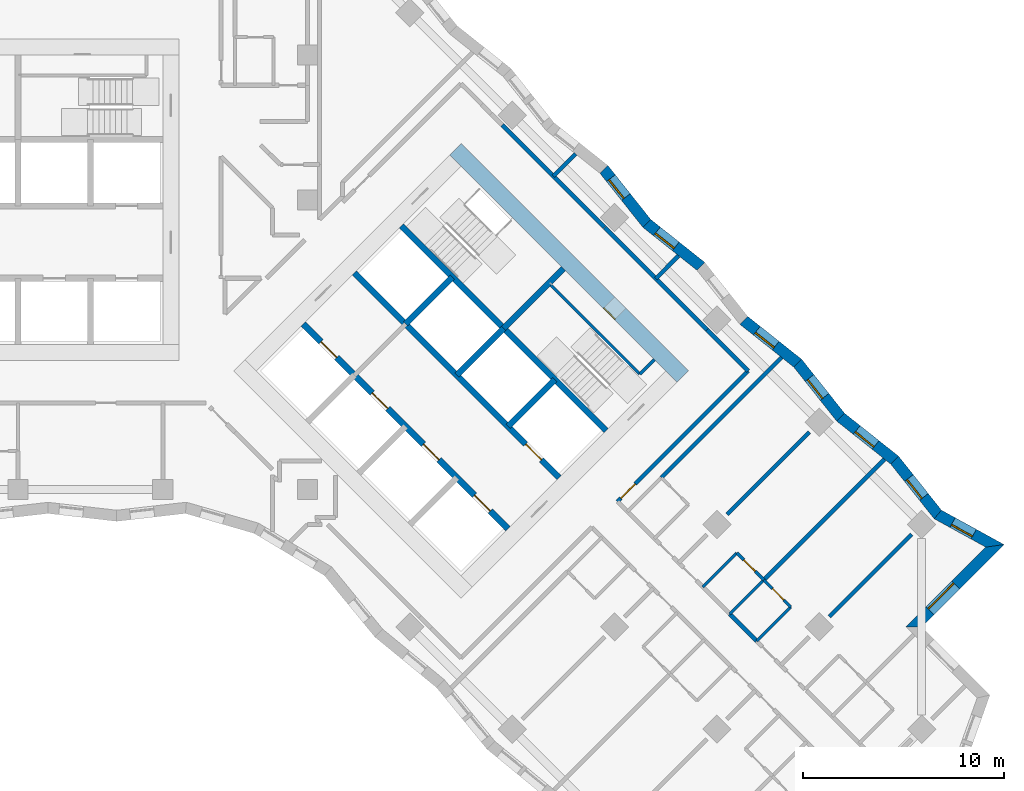
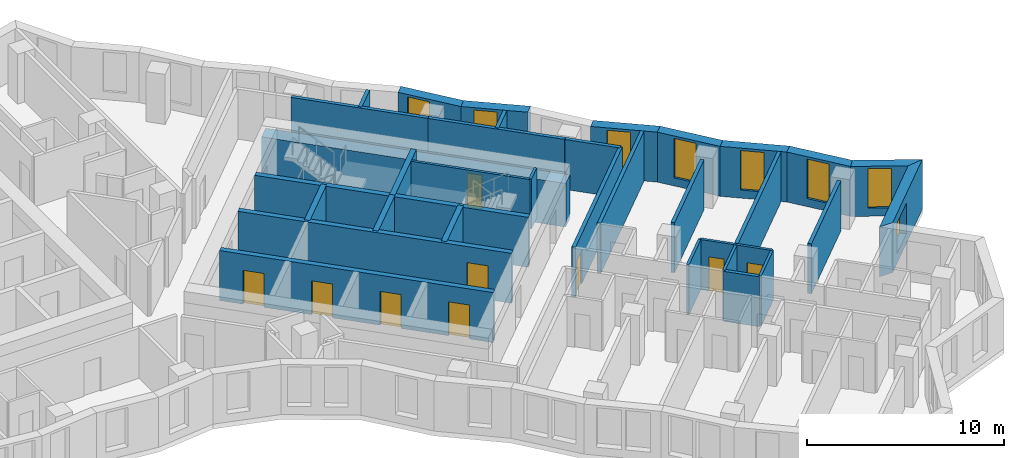
# One storey, part 10 of 13: 35 walls, 9 doors, 8 windows, 17 openings.
"""IFC4 building model written with IfcOpenShell, lengths in metres."""

from ifc_helpers import new_model, si_unit, direction, frame, frame_2d, origin, place, context, subcontext, project, spatial, polyline, rectangle, outline, extrude, material, layer, layer_set, type_object, element, fill, save


model = new_model("IFC4")

# Units and contexts
model_context = context("Model", 3, precision=1e-05, world=origin(), true_north=direction((0.0, 1.0)))
body_context = subcontext(model_context, "Body", "Model", "MODEL_VIEW")
ifc_project = project(units=[si_unit("LENGTHUNIT", "METRE"), si_unit("AREAUNIT", "SQUARE_METRE"), si_unit("VOLUMEUNIT", "CUBIC_METRE"), si_unit("PLANEANGLEUNIT", "RADIAN"), si_unit("MASSUNIT", "GRAM", prefix="KILO")], contexts=[model_context])

# Site, building, storey
site_placement = place(None, origin())
site = spatial("IfcSite", under=ifc_project, at=site_placement, CompositionType="ELEMENT")
building_placement = place(site_placement, origin())
building = spatial("IfcBuilding", under=site, at=building_placement, Name="Windrow Commons", CompositionType="ELEMENT")
storey_placement = place(building_placement, frame((0.0, 0.0, 91.4)))
storey = spatial("IfcBuildingStorey", under=building, at=storey_placement, Name="L24", CompositionType="ELEMENT", Elevation=91.4)

# Wall, opening, window
ifc_material_1 = material(Name="Brick masonry, red clay brick", Category="masonry")
ifc_layer_1 = layer(ifc_material_1, 0.55)
ifc_layer_set_1 = layer_set([ifc_layer_1], Name="Brick facade wall 550")
wall_type_1 = type_object("IfcWallType", Name="Brick facade wall 550", PredefinedType="SOLIDWALL", material=ifc_layer_set_1)
wall_1_placement = place(storey_placement, frame((109.3581, 36.3618, 0.0), z_axis=(0.0, 0.0, 1.0), x_axis=(0.7071067812, 0.7071067812, 0.0)))
wall_1 = element("IfcWall", 1, at=wall_1_placement, inside=storey, type_object=wall_type_1, Name="Brick facade wall L24 6", PredefinedType="SOLIDWALL", context=body_context, shape_type="SweptSolid", body=[
    extrude(outline(polyline([(0.275, -0.275), (6.066, -0.275), (5.3333, 0.275), (-0.275, 0.275), (0.275, -0.275)])), origin(), (0.0, 0.0, 1.0), 3.1),
])
opening_1_placement = place(wall_1_placement, frame((1.1375, 0.0, 0.6)))
opening_1 = element("IfcOpeningElement", 2, at=opening_1_placement, cuts=wall_1, Name="Opening W1L", PredefinedType="OPENING", context=body_context, shape_type="SweptSolid", body=[
    extrude(rectangle(XDim=1.8, YDim=1.9, at=frame_2d((0.9, 0.95))), frame((0.0, 0.285, 0.0), z_axis=(0.0, -1.0, 0.0), x_axis=(1.0, 0.0, 0.0)), (0.0, 0.0, 1.0), 0.57),
])
ifc_material_2 = material(Name="Clear float glass in anodised aluminium frame", Category="aluminium")
window_type_1 = type_object("IfcWindowType", Name="Window W1L bedroom 1800x1900", PartitioningType="SINGLE_PANEL", PredefinedType="WINDOW", material=ifc_material_2)
window_1_placement = place(opening_1_placement, origin())
window_1 = element("IfcWindow", 3, at=window_1_placement, inside=storey, type_object=window_type_1, Name="Window L24 6.1", OverallHeight=1.9, OverallWidth=1.8, PartitioningType="SINGLE_PANEL", PredefinedType="WINDOW", context=body_context, shape_type="SweptSolid", body=[
    extrude(rectangle(XDim=1.8, YDim=1.9, at=frame_2d((0.9, 0.95))), frame((0.0, 0.155, 0.0), z_axis=(0.0, -1.0, 0.0), x_axis=(1.0, 0.0, 0.0)), (0.0, 0.0, 1.0), 0.06),
])
fill(opening_1, window_1)

wall_2_placement = place(storey_placement, frame((113.3883, 40.392, 0.0), z_axis=(0.0, 0.0, 1.0), x_axis=(-0.8764290552, 0.4815310075, 0.0)))
wall_2 = element("IfcWall", 4, at=wall_2_placement, inside=storey, type_object=wall_type_1, Name="Brick facade wall L24 7", PredefinedType="SOLIDWALL", context=body_context, shape_type="SweptSolid", body=[
    extrude(outline(polyline([(-0.3664, -0.275), (3.1825, -0.275), (3.2932, 0.275), (0.3664, 0.275), (-0.3664, -0.275)])), origin(), (0.0, 0.0, 1.0), 3.1),
])
opening_2_placement = place(wall_2_placement, frame((1.2021, 0.0, 0.5)))
opening_2 = element("IfcOpeningElement", 5, at=opening_2_placement, cuts=wall_2, Name="Opening W7D", PredefinedType="OPENING", context=body_context, shape_type="SweptSolid", body=[
    extrude(rectangle(XDim=1.2, YDim=2.45, at=frame_2d((0.6, 1.225))), frame((0.0, 0.285, 0.0), z_axis=(0.0, -1.0, 0.0), x_axis=(1.0, 0.0, 0.0)), (0.0, 0.0, 1.0), 0.57),
])
ifc_material_3 = material(Name="Clear float glass in anodised aluminium frame", Category="aluminium")
window_type_2 = type_object("IfcWindowType", Name="Window W7 notch 1200x2450", PartitioningType="SINGLE_PANEL", PredefinedType="WINDOW", material=ifc_material_3)
window_2_placement = place(opening_2_placement, origin())
window_2 = element("IfcWindow", 6, at=window_2_placement, inside=storey, type_object=window_type_2, Name="Window L24 7.1", OverallHeight=2.45, OverallWidth=1.2, PartitioningType="SINGLE_PANEL", PredefinedType="WINDOW", context=body_context, shape_type="SweptSolid", body=[
    extrude(rectangle(XDim=1.2, YDim=2.45, at=frame_2d((0.6, 1.225))), frame((0.0, 0.155, 0.0), z_axis=(0.0, -1.0, 0.0), x_axis=(1.0, 0.0, 0.0)), (0.0, 0.0, 1.0), 0.06),
])
fill(opening_2, window_2)

wall_3_placement = place(storey_placement, frame((110.5506, 41.9511, 0.0), z_axis=(0.0, 0.0, 1.0), x_axis=(-0.6218910216, 0.7831037972, 0.0)))
wall_3 = element("IfcWall", 7, at=wall_3_placement, inside=storey, type_object=wall_type_1, Name="Brick facade wall L24 8", PredefinedType="SOLIDWALL", context=body_context, shape_type="SweptSolid", body=[
    extrude(outline(polyline([(0.0554, -0.275), (3.4854, -0.275), (3.4223, 0.275), (-0.0554, 0.275), (0.0554, -0.275)])), origin(), (0.0, 0.0, 1.0), 3.1),
])
opening_3_placement = place(wall_3_placement, frame((1.1111, 0.0, 0.5)))
opening_3 = element("IfcOpeningElement", 8, at=opening_3_placement, cuts=wall_3, Name="Opening W7D", PredefinedType="OPENING", context=body_context, shape_type="SweptSolid", body=[
    extrude(rectangle(XDim=1.2, YDim=2.45, at=frame_2d((0.6, 1.225))), frame((0.0, 0.285, 0.0), z_axis=(0.0, -1.0, 0.0), x_axis=(1.0, 0.0, 0.0)), (0.0, 0.0, 1.0), 0.57),
])
window_3_placement = place(opening_3_placement, origin())
window_3 = element("IfcWindow", 9, at=window_3_placement, inside=storey, type_object=window_type_2, Name="Window L24 8.1", OverallHeight=2.45, OverallWidth=1.2, PartitioningType="SINGLE_PANEL", PredefinedType="WINDOW", context=body_context, shape_type="SweptSolid", body=[
    extrude(rectangle(XDim=1.2, YDim=2.45, at=frame_2d((0.6, 1.225))), frame((0.0, 0.155, 0.0), z_axis=(0.0, -1.0, 0.0), x_axis=(1.0, 0.0, 0.0)), (0.0, 0.0, 1.0), 0.06),
])
fill(opening_3, window_3)

wall_4_placement = place(storey_placement, frame((108.4027, 44.6558, 0.0), z_axis=(0.0, 0.0, 1.0), x_axis=(-0.7830937263, 0.6219037031, 0.0)))
wall_4 = element("IfcWall", 10, at=wall_4_placement, inside=storey, type_object=wall_type_1, Name="Brick facade wall L24 9", PredefinedType="SOLIDWALL", context=body_context, shape_type="SweptSolid", body=[
    extrude(outline(polyline([(-0.0316, -0.275), (3.3985, -0.275), (3.4616, 0.275), (0.0316, 0.275), (-0.0316, -0.275)])), origin(), (0.0, 0.0, 1.0), 3.1),
])
opening_4_placement = place(wall_4_placement, frame((1.2086, 0.0, 0.5)))
opening_4 = element("IfcOpeningElement", 11, at=opening_4_placement, cuts=wall_4, Name="Opening W7D", PredefinedType="OPENING", context=body_context, shape_type="SweptSolid", body=[
    extrude(rectangle(XDim=1.2, YDim=2.45, at=frame_2d((0.6, 1.225))), frame((0.0, 0.285, 0.0), z_axis=(0.0, -1.0, 0.0), x_axis=(1.0, 0.0, 0.0)), (0.0, 0.0, 1.0), 0.57),
])
window_4_placement = place(opening_4_placement, origin())
window_4 = element("IfcWindow", 12, at=window_4_placement, inside=storey, type_object=window_type_2, Name="Window L24 9.1", OverallHeight=2.45, OverallWidth=1.2, PartitioningType="SINGLE_PANEL", PredefinedType="WINDOW", context=body_context, shape_type="SweptSolid", body=[
    extrude(rectangle(XDim=1.2, YDim=2.45, at=frame_2d((0.6, 1.225))), frame((0.0, 0.155, 0.0), z_axis=(0.0, -1.0, 0.0), x_axis=(1.0, 0.0, 0.0)), (0.0, 0.0, 1.0), 0.06),
])
fill(opening_4, window_4)

wall_5_placement = place(storey_placement, frame((105.7166, 46.789, 0.0), z_axis=(0.0, 0.0, 1.0), x_axis=(-0.621900023, 0.7830966489, 0.0)))
wall_5 = element("IfcWall", 13, at=wall_5_placement, inside=storey, type_object=wall_type_1, Name="Brick facade wall L24 10", PredefinedType="SOLIDWALL", context=body_context, shape_type="SweptSolid", body=[
    extrude(outline(polyline([(0.0316, -0.275), (3.4616, -0.275), (3.3985, 0.275), (-0.0316, 0.275), (0.0316, -0.275)])), origin(), (0.0, 0.0, 1.0), 3.1),
])
opening_5_placement = place(wall_5_placement, frame((1.2896, 0.0, 0.5)))
opening_5 = element("IfcOpeningElement", 14, at=opening_5_placement, cuts=wall_5, Name="Opening W7D", PredefinedType="OPENING", context=body_context, shape_type="SweptSolid", body=[
    extrude(rectangle(XDim=1.2, YDim=2.45, at=frame_2d((0.6, 1.225))), frame((0.0, 0.285, 0.0), z_axis=(0.0, -1.0, 0.0), x_axis=(1.0, 0.0, 0.0)), (0.0, 0.0, 1.0), 0.57),
])
window_5_placement = place(opening_5_placement, origin())
window_5 = element("IfcWindow", 15, at=window_5_placement, inside=storey, type_object=window_type_2, Name="Window L24 10.1", OverallHeight=2.45, OverallWidth=1.2, PartitioningType="SINGLE_PANEL", PredefinedType="WINDOW", context=body_context, shape_type="SweptSolid", body=[
    extrude(rectangle(XDim=1.2, YDim=2.45, at=frame_2d((0.6, 1.225))), frame((0.0, 0.155, 0.0), z_axis=(0.0, -1.0, 0.0), x_axis=(1.0, 0.0, 0.0)), (0.0, 0.0, 1.0), 0.06),
])
fill(opening_5, window_5)

wall_6_placement = place(storey_placement, frame((103.5835, 49.475, 0.0), z_axis=(0.0, 0.0, 1.0), x_axis=(-0.7830937263, 0.6219037031, 0.0)))
wall_6 = element("IfcWall", 16, at=wall_6_placement, inside=storey, type_object=wall_type_1, Name="Brick facade wall L24 11", PredefinedType="SOLIDWALL", context=body_context, shape_type="SweptSolid", body=[
    extrude(outline(polyline([(-0.0316, -0.275), (3.3985, -0.275), (3.4616, 0.275), (0.0316, 0.275), (-0.0316, -0.275)])), origin(), (0.0, 0.0, 1.0), 3.1),
])
opening_6_placement = place(wall_6_placement, frame((1.4022, 0.0, 0.5)))
opening_6 = element("IfcOpeningElement", 17, at=opening_6_placement, cuts=wall_6, Name="Opening W7D", PredefinedType="OPENING", context=body_context, shape_type="SweptSolid", body=[
    extrude(rectangle(XDim=1.2, YDim=2.45, at=frame_2d((0.6, 1.225))), frame((0.0, 0.285, 0.0), z_axis=(0.0, -1.0, 0.0), x_axis=(1.0, 0.0, 0.0)), (0.0, 0.0, 1.0), 0.57),
])
window_6_placement = place(opening_6_placement, origin())
window_6 = element("IfcWindow", 18, at=window_6_placement, inside=storey, type_object=window_type_2, Name="Window L24 11.1", OverallHeight=2.45, OverallWidth=1.2, PartitioningType="SINGLE_PANEL", PredefinedType="WINDOW", context=body_context, shape_type="SweptSolid", body=[
    extrude(rectangle(XDim=1.2, YDim=2.45, at=frame_2d((0.6, 1.225))), frame((0.0, 0.155, 0.0), z_axis=(0.0, -1.0, 0.0), x_axis=(1.0, 0.0, 0.0)), (0.0, 0.0, 1.0), 0.06),
])
fill(opening_6, window_6)

wall_7_placement = place(storey_placement, frame((98.7643, 54.2942, 0.0), z_axis=(0.0, 0.0, 1.0), x_axis=(-0.7831079243, 0.6218858246, 0.0)))
wall_7 = element("IfcWall", 19, at=wall_7_placement, inside=storey, type_object=wall_type_1, Name="Brick facade wall L24 13", PredefinedType="SOLIDWALL", context=body_context, shape_type="SweptSolid", body=[
    extrude(outline(polyline([(-0.0316, -0.275), (3.3985, -0.275), (3.4616, 0.275), (0.0316, 0.275), (-0.0316, -0.275)])), origin(), (0.0, 0.0, 1.0), 3.1),
])
opening_7_placement = place(wall_7_placement, frame((1.5958, 0.0, 0.5)))
opening_7 = element("IfcOpeningElement", 20, at=opening_7_placement, cuts=wall_7, Name="Opening W7D", PredefinedType="OPENING", context=body_context, shape_type="SweptSolid", body=[
    extrude(rectangle(XDim=1.2, YDim=2.45, at=frame_2d((0.6, 1.225))), frame((0.0, 0.285, 0.0), z_axis=(0.0, -1.0, 0.0), x_axis=(1.0, 0.0, 0.0)), (0.0, 0.0, 1.0), 0.57),
])
window_7_placement = place(opening_7_placement, origin())
window_7 = element("IfcWindow", 21, at=window_7_placement, inside=storey, type_object=window_type_2, Name="Window L24 13.1", OverallHeight=2.45, OverallWidth=1.2, PartitioningType="SINGLE_PANEL", PredefinedType="WINDOW", context=body_context, shape_type="SweptSolid", body=[
    extrude(rectangle(XDim=1.2, YDim=2.45, at=frame_2d((0.6, 1.225))), frame((0.0, 0.155, 0.0), z_axis=(0.0, -1.0, 0.0), x_axis=(1.0, 0.0, 0.0)), (0.0, 0.0, 1.0), 0.06),
])
fill(opening_7, window_7)

wall_8_placement = place(storey_placement, frame((96.0782, 56.4273, 0.0), z_axis=(0.0, 0.0, 1.0), x_axis=(-0.6218858246, 0.7831079243, 0.0)))
wall_8 = element("IfcWall", 22, at=wall_8_placement, inside=storey, type_object=wall_type_1, Name="Brick facade wall L24 14", PredefinedType="SOLIDWALL", context=body_context, shape_type="SweptSolid", body=[
    extrude(outline(polyline([(0.0316, -0.275), (3.4616, -0.275), (3.3985, 0.275), (-0.0316, 0.275), (0.0316, -0.275)])), origin(), (0.0, 0.0, 1.0), 3.1),
])
opening_8_placement = place(wall_8_placement, frame((1.6768, 0.0, 0.5)))
opening_8 = element("IfcOpeningElement", 23, at=opening_8_placement, cuts=wall_8, Name="Opening W7D", PredefinedType="OPENING", context=body_context, shape_type="SweptSolid", body=[
    extrude(rectangle(XDim=1.2, YDim=2.45, at=frame_2d((0.6, 1.225))), frame((0.0, 0.285, 0.0), z_axis=(0.0, -1.0, 0.0), x_axis=(1.0, 0.0, 0.0)), (0.0, 0.0, 1.0), 0.57),
])
window_8_placement = place(opening_8_placement, origin())
window_8 = element("IfcWindow", 24, at=window_8_placement, inside=storey, type_object=window_type_2, Name="Window L24 14.1", OverallHeight=2.45, OverallWidth=1.2, PartitioningType="SINGLE_PANEL", PredefinedType="WINDOW", context=body_context, shape_type="SweptSolid", body=[
    extrude(rectangle(XDim=1.2, YDim=2.45, at=frame_2d((0.6, 1.225))), frame((0.0, 0.155, 0.0), z_axis=(0.0, -1.0, 0.0), x_axis=(1.0, 0.0, 0.0)), (0.0, 0.0, 1.0), 0.06),
])
fill(opening_8, window_8)

# Wall, opening, door
ifc_material_4 = material(Name="Blockwork partition", Category="masonry")
ifc_layer_2 = layer(ifc_material_4, 0.2)
ifc_layer_set_2 = layer_set([ifc_layer_2], Name="IW-CORRIDOR-200")
wall_type_2 = type_object("IfcWallType", Name="IW-CORRIDOR-200", PredefinedType="PARTITIONING", material=ifc_layer_set_2)
wall_9_placement = place(storey_placement, frame((94.6155, 42.5865, 0.0), z_axis=(0.0, 0.0, 1.0), x_axis=(0.7071067812, 0.7071067812, 0.0)))
wall_9 = element("IfcWall", 25, at=wall_9_placement, inside=storey, type_object=wall_type_2, Name="W-L24-W008", PredefinedType="PARTITIONING", context=body_context, shape_type="SweptSolid", body=[
    extrude(rectangle(XDim=9.198, YDim=0.2, at=frame_2d((4.599, 0.0))), origin(), (0.0, 0.0, 1.0), 3.1),
])
opening_9_placement = place(wall_9_placement, frame((0.2485, 0.0, 0.0)))
opening_9 = element("IfcOpeningElement", 26, at=opening_9_placement, cuts=wall_9, Name="Opening D310F", PredefinedType="OPENING", context=body_context, shape_type="SweptSolid", body=[
    extrude(rectangle(XDim=1.0, YDim=2.1, at=frame_2d((0.5, 1.05))), frame((0.0, 0.11, 0.0), z_axis=(0.0, -1.0, 0.0), x_axis=(1.0, 0.0, 0.0)), (0.0, 0.0, 1.0), 0.22),
])
ifc_material_5 = material(Name="Timber door leaf", Category="wood")
door_type_1 = type_object("IfcDoorType", Name="DT-AMENITY-1000", OperationType="SINGLE_SWING_LEFT", PredefinedType="DOOR", material=ifc_material_5)
door_1_placement = place(opening_9_placement, origin())
door_1 = element("IfcDoor", 27, at=door_1_placement, inside=storey, type_object=door_type_1, Name="D-L24-D047", OperationType="SINGLE_SWING_RIGHT", OverallHeight=2.1, OverallWidth=1.0, PredefinedType="DOOR", context=body_context, shape_type="SweptSolid", body=[
    extrude(rectangle(XDim=1.0, YDim=2.1, at=frame_2d((0.5, 1.05))), frame((0.0, 0.025, 0.0), z_axis=(0.0, -1.0, 0.0), x_axis=(1.0, 0.0, 0.0)), (0.0, 0.0, 1.0), 0.05),
])
fill(opening_9, door_1)

# Walls
wall_10_placement = place(storey_placement, frame((88.8888, 61.3148, 0.0), z_axis=(0.0, 0.0, 1.0), x_axis=(0.7071067812, -0.7071067812, 0.0)))
element("IfcWall", 28, at=wall_10_placement, inside=storey, type_object=wall_type_2, Name="W-L24-W019", PredefinedType="PARTITIONING", context=body_context, shape_type="SweptSolid", body=[
    extrude(rectangle(XDim=7.187, YDim=0.2, at=frame_2d((3.5935, 0.0))), origin(), (0.0, 0.0, 1.0), 3.1),
])
wall_11_placement = place(storey_placement, frame((93.9808, 56.2228, 0.0), z_axis=(0.0, 0.0, 1.0), x_axis=(0.7071067812, -0.7071067812, 0.0)))
element("IfcWall", 29, at=wall_11_placement, inside=storey, type_object=wall_type_2, Name="W-L24-W020", PredefinedType="PARTITIONING", context=body_context, shape_type="SweptSolid", body=[
    extrude(rectangle(XDim=7.1842, YDim=0.2, at=frame_2d((3.5921, 0.0))), origin(), (0.0, 0.0, 1.0), 3.1),
])
wall_12_placement = place(storey_placement, frame((99.0708, 51.1328, 0.0), z_axis=(0.0, 0.0, 1.0), x_axis=(0.7071067812, -0.7071067812, 0.0)))
element("IfcWall", 30, at=wall_12_placement, inside=storey, type_object=wall_type_2, Name="W-L24-W062", PredefinedType="PARTITIONING", context=body_context, shape_type="SweptSolid", body=[
    extrude(rectangle(XDim=2.8935, YDim=0.2, at=frame_2d((1.4467, 0.0))), origin(), (0.0, 0.0, 1.0), 3.1),
])
wall_13_placement = place(storey_placement, frame((100.2008, 36.9968, 0.0), z_axis=(0.0, 0.0, 1.0), x_axis=(0.7076330979, -0.7065800724, 0.0)))
element("IfcWall", 31, at=wall_13_placement, inside=storey, type_object=wall_type_2, Name="W-L24-W147", PredefinedType="PARTITIONING", context=body_context, shape_type="SweptSolid", body=[
    extrude(rectangle(XDim=1.8993, YDim=0.2, at=frame_2d((0.9496, 0.0))), origin(), (0.0, 0.0, 1.0), 3.1),
])
ifc_material_6 = material(Name="Blockwork partition", Category="masonry")
ifc_layer_3 = layer(ifc_material_6, 0.15)
ifc_layer_set_3 = layer_set([ifc_layer_3], Name="IW-ENSUITE-150")
wall_type_3 = type_object("IfcWallType", Name="IW-ENSUITE-150", PredefinedType="PARTITIONING", material=ifc_layer_set_3)
wall_14_placement = place(storey_placement, frame((100.2026, 36.9974, 0.0), z_axis=(0.0, 0.0, 1.0), x_axis=(0.706689978, 0.7075233388, 0.0)))
element("IfcWall", 32, at=wall_14_placement, inside=storey, type_object=wall_type_3, Name="W-L24-W102", PredefinedType="PARTITIONING", context=body_context, shape_type="SweptSolid", body=[
    extrude(rectangle(XDim=2.3999, YDim=0.15, at=frame_2d((1.2, 0.0))), origin(), (0.0, 0.0, 1.0), 3.1),
])
for number, where, z_axis, x_axis, name in (
    (33, (98.8571, 38.3429, 0.0), (0.0, 0.0, 1.0), (0.7071067812, 0.7071067812, 0.0), "W-L24-W107"),
    (34, (101.5451, 35.6569, 0.0), (0.0, 0.0, 1.0), (0.7071067812, 0.7071067812, 0.0), "W-L24-W108"),
):
    element("IfcWall", number, at=place(storey_placement, frame(where, z_axis=z_axis, x_axis=x_axis)), inside=storey, type_object=wall_type_3, Name=name, PredefinedType="PARTITIONING", context=body_context, shape_type="SweptSolid", body=[
        extrude(rectangle(XDim=2.3985, YDim=0.15, at=frame_2d((1.1992, 0.0))), origin(), (0.0, 0.0, 1.0), 3.1),
    ])

# Wall, opening, door
wall_15_placement = place(storey_placement, frame((101.8945, 38.6925, 0.0), z_axis=(0.0, 0.0, 1.0), x_axis=(0.7071067812, -0.7071067812, 0.0)))
wall_15 = element("IfcWall", 35, at=wall_15_placement, inside=storey, type_object=wall_type_3, Name="W-L24-W132", PredefinedType="PARTITIONING", context=body_context, shape_type="SweptSolid", body=[
    extrude(rectangle(XDim=1.9007, YDim=0.15, at=frame_2d((0.9504, 0.0))), origin(), (0.0, 0.0, 1.0), 3.1),
])
opening_10_placement = place(wall_15_placement, frame((0.6075, 0.0, 0.0)))
opening_10 = element("IfcOpeningElement", 36, at=opening_10_placement, cuts=wall_15, Name="Opening D208N", PredefinedType="OPENING", context=body_context, shape_type="SweptSolid", body=[
    extrude(rectangle(XDim=0.8, YDim=2.1, at=frame_2d((0.4, 1.05))), frame((0.0, 0.085, 0.0), z_axis=(0.0, -1.0, 0.0), x_axis=(1.0, 0.0, 0.0)), (0.0, 0.0, 1.0), 0.17),
])
ifc_material_7 = material(Name="Timber door leaf", Category="wood")
door_type_2 = type_object("IfcDoorType", Name="DT-ENSUITE-800", OperationType="SINGLE_SWING_LEFT", PredefinedType="DOOR", material=ifc_material_7)
door_2_placement = place(opening_10_placement, origin())
door_2 = element("IfcDoor", 37, at=door_2_placement, inside=storey, type_object=door_type_2, Name="D-L24-D053", OperationType="SINGLE_SWING_RIGHT", OverallHeight=2.1, OverallWidth=0.8, PredefinedType="DOOR", context=body_context, shape_type="SweptSolid", body=[
    extrude(rectangle(XDim=0.8, YDim=2.1, at=frame_2d((0.4, 1.05))), frame((0.0, 0.025, 0.0), z_axis=(0.0, -1.0, 0.0), x_axis=(1.0, 0.0, 0.0)), (0.0, 0.0, 1.0), 0.05),
])
fill(opening_10, door_2)

wall_16_placement = place(storey_placement, frame((100.5528, 40.0368, 0.0), z_axis=(0.0, 0.0, 1.0), x_axis=(0.7076330979, -0.7065800724, 0.0)))
wall_16 = element("IfcWall", 38, at=wall_16_placement, inside=storey, type_object=wall_type_3, Name="W-L24-W145", PredefinedType="PARTITIONING", context=body_context, shape_type="SweptSolid", body=[
    extrude(rectangle(XDim=1.8993, YDim=0.15, at=frame_2d((0.9496, 0.0))), origin(), (0.0, 0.0, 1.0), 3.1),
])
opening_11_placement = place(wall_16_placement, frame((0.493, 0.0, 0.0)))
opening_11 = element("IfcOpeningElement", 39, at=opening_11_placement, cuts=wall_16, Name="Opening D208N", PredefinedType="OPENING", context=body_context, shape_type="SweptSolid", body=[
    extrude(rectangle(XDim=0.8, YDim=2.1, at=frame_2d((0.4, 1.05))), frame((0.0, 0.085, 0.0), z_axis=(0.0, -1.0, 0.0), x_axis=(1.0, 0.0, 0.0)), (0.0, 0.0, 1.0), 0.17),
])
door_3_placement = place(opening_11_placement, origin())
door_3 = element("IfcDoor", 40, at=door_3_placement, inside=storey, type_object=door_type_2, Name="D-L24-D051", OperationType="SINGLE_SWING_RIGHT", OverallHeight=2.1, OverallWidth=0.8, PredefinedType="DOOR", context=body_context, shape_type="SweptSolid", body=[
    extrude(rectangle(XDim=0.8, YDim=2.1, at=frame_2d((0.4, 1.05))), frame((0.0, 0.025, 0.0), z_axis=(0.0, -1.0, 0.0), x_axis=(1.0, 0.0, 0.0)), (0.0, 0.0, 1.0), 0.05),
])
fill(opening_11, door_3)

# Walls
ifc_material_8 = material(Name="Blockwork partition", Category="masonry")
ifc_layer_4 = layer(ifc_material_8, 0.2)
ifc_layer_set_4 = layer_set([ifc_layer_4], Name="IW-PARTY-200")
wall_type_4 = type_object("IfcWallType", Name="IW-PARTY-200", PredefinedType="PARTITIONING", material=ifc_layer_set_4)
wall_17_placement = place(storey_placement, frame((101.8958, 38.6982, 0.0), z_axis=(0.0, 0.0, 1.0), x_axis=(0.7072304079, 0.7069831328, 0.0)))
element("IfcWall", 41, at=wall_17_placement, inside=storey, type_object=wall_type_4, Name="W-L24-W010", PredefinedType="PARTITIONING", context=body_context, shape_type="SweptSolid", body=[
    extrude(rectangle(XDim=8.4926, YDim=0.2, at=frame_2d((4.2463, 0.0))), origin(), (0.0, 0.0, 1.0), 3.1),
])
wall_18_placement = place(storey_placement, frame((96.8054, 43.7866, 0.0), z_axis=(0.0, 0.0, 1.0), x_axis=(0.7071126983, 0.707100864, 0.0)))
element("IfcWall", 42, at=wall_18_placement, inside=storey, type_object=wall_type_4, Name="W-L24-W011", PredefinedType="PARTITIONING", context=body_context, shape_type="SweptSolid", body=[
    extrude(rectangle(XDim=8.45, YDim=0.2, at=frame_2d((4.225, 0.0))), origin(), (0.0, 0.0, 1.0), 3.1),
])
for number, where, z_axis, x_axis, name in (
    (43, (105.1552, 36.8628, 0.0), (0.0, 0.0, 1.0), (0.7071067812, 0.7071067812, 0.0), "W-L24-W038"),
    (44, (100.063, 41.953, 0.0), (0.0, 0.0, 1.0), (0.7071067812, 0.7071067812, 0.0), "W-L24-W039"),
):
    element("IfcWall", number, at=place(storey_placement, frame(where, z_axis=z_axis, x_axis=x_axis)), inside=storey, type_object=wall_type_4, Name=name, PredefinedType="PARTITIONING", context=body_context, shape_type="SweptSolid", body=[
        extrude(rectangle(XDim=5.787, YDim=0.2, at=frame_2d((2.8935, 0.0))), origin(), (0.0, 0.0, 1.0), 3.1),
    ])
wall_19_placement = place(storey_placement, frame((96.5233, 53.6867, 0.0), z_axis=(0.0, 0.0, 1.0), x_axis=(0.7070756263, 0.7071379347, 0.0)))
element("IfcWall", 45, at=wall_19_placement, inside=storey, type_object=wall_type_4, Name="W-L24-W160", PredefinedType="PARTITIONING", context=body_context, shape_type="SweptSolid", body=[
    extrude(rectangle(XDim=1.6049, YDim=0.2, at=frame_2d((0.8024, 0.0))), origin(), (0.0, 0.0, 1.0), 3.1),
])
wall_20_placement = place(storey_placement, frame((91.4321, 58.7779, 0.0), z_axis=(0.0, 0.0, 1.0), x_axis=(0.7071067812, 0.7071067812, 0.0)))
element("IfcWall", 46, at=wall_20_placement, inside=storey, type_object=wall_type_4, Name="W-L24-W162", PredefinedType="PARTITIONING", context=body_context, shape_type="SweptSolid", body=[
    extrude(rectangle(XDim=1.5607, YDim=0.2, at=frame_2d((0.7803, 0.0))), origin(), (0.0, 0.0, 1.0), 3.1),
])

# Wall, opening, door
ifc_material_9 = material(Name="Concrete C50/60", Category="concrete")
ifc_layer_5 = layer(ifc_material_9, 0.8)
ifc_layer_set_5 = layer_set([ifc_layer_5], Name="RC CORE WALL 800 C50/60")
wall_type_5 = type_object("IfcWallType", Name="RC CORE WALL 800 C50/60", PredefinedType="SHEAR", material=ifc_layer_set_5)
wall_21_placement = place(storey_placement, frame((86.5539, 60.1206, -0.3), z_axis=(0.0, 0.0, 1.0), x_axis=(0.7071067812, -0.7071067812, 0.0)))
wall_21 = element("IfcWall", 47, at=wall_21_placement, inside=storey, type_object=wall_type_5, Name="Core B wall outer-N", PredefinedType="SHEAR", context=body_context, shape_type="SweptSolid", body=[
    extrude(rectangle(XDim=16.0, YDim=0.8, at=frame_2d((8.0, 0.0))), origin(), (0.0, 0.0, 1.0), 2.7),
])
opening_12_placement = place(wall_21_placement, frame((10.8, 0.0, 0.3)))
opening_12 = element("IfcOpeningElement", 48, at=opening_12_placement, cuts=wall_21, Name="Opening D9", PredefinedType="OPENING", context=body_context, shape_type="SweptSolid", body=[
    extrude(rectangle(XDim=0.8, YDim=2.1, at=frame_2d((0.4, 1.05))), frame((0.0, 0.41, 0.0), z_axis=(0.0, -1.0, 0.0), x_axis=(1.0, 0.0, 0.0)), (0.0, 0.0, 1.0), 0.82),
])
ifc_material_10 = material(Name="Steel fire door leaf", Category="steel")
door_type_3 = type_object("IfcDoorType", Name="Riser access door 800", OperationType="SINGLE_SWING_LEFT", PredefinedType="DOOR", material=ifc_material_10)
door_4_placement = place(opening_12_placement, origin())
door_4 = element("IfcDoor", 49, at=door_4_placement, inside=storey, type_object=door_type_3, Name="Riser access door", OperationType="SINGLE_SWING_RIGHT", OverallHeight=2.1, OverallWidth=0.8, PredefinedType="DOOR", context=body_context, shape_type="SweptSolid", body=[
    extrude(rectangle(XDim=0.8, YDim=2.1, at=frame_2d((0.4, 1.05))), frame((0.0, -0.34, 0.0), z_axis=(0.0, -1.0, 0.0), x_axis=(1.0, 0.0, 0.0)), (0.0, 0.0, 1.0), 0.05),
])
fill(opening_12, door_4)

# Walls
ifc_material_11 = material(Name="Concrete C50/60", Category="concrete")
ifc_layer_6 = layer(ifc_material_11, 0.3)
ifc_layer_set_6 = layer_set([ifc_layer_6], Name="RC SHAFT WALL 300 C50/60")
wall_type_6 = type_object("IfcWallType", Name="RC SHAFT WALL 300 C50/60", PredefinedType="SOLIDWALL", material=ifc_layer_set_6)
wall_22_placement = place(storey_placement, frame((84.079, 51.4232, 0.0), z_axis=(0.0, 0.0, 1.0), x_axis=(0.7071219326, 0.7070916295, 0.0)))
element("IfcWall", 50, at=wall_22_placement, inside=storey, type_object=wall_type_6, Name="Core B wall shaft-N1", PredefinedType="SOLIDWALL", context=body_context, shape_type="SweptSolid", body=[
    extrude(rectangle(XDim=3.3, YDim=0.3, at=frame_2d((1.65, 0.0))), origin(), (0.0, 0.0, 1.0), 3.1),
])
for number, where, z_axis, x_axis, name in (
    (51, (86.6246, 48.8776, 0.0), (0.0, 0.0, 1.0), (0.7071067812, 0.7071067812, 0.0), "Core B wall shaft-N2"),
    (52, (89.1702, 46.332, 0.0), (0.0, 0.0, 1.0), (0.7071067812, 0.7071067812, 0.0), "Core B wall shaft-N3"),
):
    element("IfcWall", number, at=place(storey_placement, frame(where, z_axis=z_axis, x_axis=x_axis)), inside=storey, type_object=wall_type_6, Name=name, PredefinedType="SOLIDWALL", context=body_context, shape_type="SweptSolid", body=[
        extrude(rectangle(XDim=3.3001, YDim=0.3, at=frame_2d((1.6501, 0.0))), origin(), (0.0, 0.0, 1.0), 3.1),
    ])

# Wall, openings, doors
wall_23_placement = place(storey_placement, frame((78.9879, 51.4232, 0.0), z_axis=(0.0, 0.0, 1.0), x_axis=(0.7071067812, -0.7071067812, 0.0)))
wall_23 = element("IfcWall", 53, at=wall_23_placement, inside=storey, type_object=wall_type_6, Name="Core B wall lobby-S", PredefinedType="SOLIDWALL", context=body_context, shape_type="SweptSolid", body=[
    extrude(rectangle(XDim=14.3999, YDim=0.3, at=frame_2d((7.2, 0.0))), origin(), (0.0, 0.0, 1.0), 3.1),
])
opening_13_placement = place(wall_23_placement, frame((1.25, 0.0, 0.0)))
opening_13 = element("IfcOpeningElement", 54, at=opening_13_placement, cuts=wall_23, Name="Opening LD", PredefinedType="OPENING", context=body_context, shape_type="SweptSolid", body=[
    extrude(rectangle(XDim=1.1, YDim=2.1, at=frame_2d((0.55, 1.05))), frame((0.0, 0.16, 0.0), z_axis=(0.0, -1.0, 0.0), x_axis=(1.0, 0.0, 0.0)), (0.0, 0.0, 1.0), 0.32),
])
opening_14_placement = place(wall_23_placement, frame((4.85, 0.0, 0.0)))
opening_14 = element("IfcOpeningElement", 55, at=opening_14_placement, cuts=wall_23, Name="Opening LD", PredefinedType="OPENING", context=body_context, shape_type="SweptSolid", body=[
    extrude(rectangle(XDim=1.1, YDim=2.1, at=frame_2d((0.55, 1.05))), frame((0.0, 0.16, 0.0), z_axis=(0.0, -1.0, 0.0), x_axis=(1.0, 0.0, 0.0)), (0.0, 0.0, 1.0), 0.32),
])
opening_15_placement = place(wall_23_placement, frame((8.45, 0.0, 0.0)))
opening_15 = element("IfcOpeningElement", 56, at=opening_15_placement, cuts=wall_23, Name="Opening LD", PredefinedType="OPENING", context=body_context, shape_type="SweptSolid", body=[
    extrude(rectangle(XDim=1.1, YDim=2.1, at=frame_2d((0.55, 1.05))), frame((0.0, 0.16, 0.0), z_axis=(0.0, -1.0, 0.0), x_axis=(1.0, 0.0, 0.0)), (0.0, 0.0, 1.0), 0.32),
])
opening_16_placement = place(wall_23_placement, frame((12.05, 0.0, 0.0)))
opening_16 = element("IfcOpeningElement", 57, at=opening_16_placement, cuts=wall_23, Name="Opening LD", PredefinedType="OPENING", context=body_context, shape_type="SweptSolid", body=[
    extrude(rectangle(XDim=1.1, YDim=2.1, at=frame_2d((0.55, 1.05))), frame((0.0, 0.16, 0.0), z_axis=(0.0, -1.0, 0.0), x_axis=(1.0, 0.0, 0.0)), (0.0, 0.0, 1.0), 0.32),
])
ifc_material_12 = material(Name="Stainless steel door leaf", Category="steel")
door_type_4 = type_object("IfcDoorType", Name="Lift landing door 1100", OperationType="SLIDING_TO_LEFT", PredefinedType="DOOR", material=ifc_material_12)
door_5_placement = place(opening_13_placement, origin())
door_5 = element("IfcDoor", 58, at=door_5_placement, inside=storey, type_object=door_type_4, Name="Lift landing door", OperationType="SLIDING_TO_LEFT", OverallHeight=2.1, OverallWidth=1.1, PredefinedType="DOOR", context=body_context, shape_type="SweptSolid", body=[
    extrude(rectangle(XDim=1.1, YDim=2.1, at=frame_2d((0.55, 1.05))), frame((0.0, 0.025, 0.0), z_axis=(0.0, -1.0, 0.0), x_axis=(1.0, 0.0, 0.0)), (0.0, 0.0, 1.0), 0.05),
])
fill(opening_13, door_5)
door_6_placement = place(opening_14_placement, origin())
door_6 = element("IfcDoor", 59, at=door_6_placement, inside=storey, type_object=door_type_4, Name="Lift landing door", OperationType="SLIDING_TO_RIGHT", OverallHeight=2.1, OverallWidth=1.1, PredefinedType="DOOR", context=body_context, shape_type="SweptSolid", body=[
    extrude(rectangle(XDim=1.1, YDim=2.1, at=frame_2d((0.55, 1.05))), frame((0.0, 0.025, 0.0), z_axis=(0.0, -1.0, 0.0), x_axis=(1.0, 0.0, 0.0)), (0.0, 0.0, 1.0), 0.05),
])
fill(opening_14, door_6)
door_7_placement = place(opening_15_placement, origin())
door_7 = element("IfcDoor", 60, at=door_7_placement, inside=storey, type_object=door_type_4, Name="Lift landing door", OperationType="SLIDING_TO_LEFT", OverallHeight=2.1, OverallWidth=1.1, PredefinedType="DOOR", context=body_context, shape_type="SweptSolid", body=[
    extrude(rectangle(XDim=1.1, YDim=2.1, at=frame_2d((0.55, 1.05))), frame((0.0, 0.025, 0.0), z_axis=(0.0, -1.0, 0.0), x_axis=(1.0, 0.0, 0.0)), (0.0, 0.0, 1.0), 0.05),
])
fill(opening_15, door_7)
door_8_placement = place(opening_16_placement, origin())
door_8 = element("IfcDoor", 61, at=door_8_placement, inside=storey, type_object=door_type_4, Name="Lift landing door", OperationType="SLIDING_TO_RIGHT", OverallHeight=2.1, OverallWidth=1.1, PredefinedType="DOOR", context=body_context, shape_type="SweptSolid", body=[
    extrude(rectangle(XDim=1.1, YDim=2.1, at=frame_2d((0.55, 1.05))), frame((0.0, 0.025, 0.0), z_axis=(0.0, -1.0, 0.0), x_axis=(1.0, 0.0, 0.0)), (0.0, 0.0, 1.0), 0.05),
])
fill(opening_16, door_8)

# Wall, opening, door
wall_24_placement = place(storey_placement, frame((81.5335, 53.9688, 0.0), z_axis=(0.0, 0.0, 1.0), x_axis=(0.707103309, -0.7071102534, 0.0)))
wall_24 = element("IfcWall", 62, at=wall_24_placement, inside=storey, type_object=wall_type_6, Name="Core B wall lobby-N", PredefinedType="SOLIDWALL", context=body_context, shape_type="SweptSolid", body=[
    extrude(rectangle(XDim=14.4, YDim=0.3, at=frame_2d((7.2, 0.0))), origin(), (0.0, 0.0, 1.0), 3.1),
])
opening_17_placement = place(wall_24_placement, frame((12.05, 0.0, 0.0)))
opening_17 = element("IfcOpeningElement", 63, at=opening_17_placement, cuts=wall_24, Name="Opening LD", PredefinedType="OPENING", context=body_context, shape_type="SweptSolid", body=[
    extrude(rectangle(XDim=1.1, YDim=2.1, at=frame_2d((0.55, 1.05))), frame((0.0, 0.16, 0.0), z_axis=(0.0, -1.0, 0.0), x_axis=(1.0, 0.0, 0.0)), (0.0, 0.0, 1.0), 0.32),
])
door_9_placement = place(opening_17_placement, origin())
door_9 = element("IfcDoor", 64, at=door_9_placement, inside=storey, type_object=door_type_4, Name="Lift landing door", OperationType="SLIDING_TO_RIGHT", OverallHeight=2.1, OverallWidth=1.1, PredefinedType="DOOR", context=body_context, shape_type="SweptSolid", body=[
    extrude(rectangle(XDim=1.1, YDim=2.1, at=frame_2d((0.55, 1.05))), frame((0.0, 0.025, 0.0), z_axis=(0.0, -1.0, 0.0), x_axis=(1.0, 0.0, 0.0)), (0.0, 0.0, 1.0), 0.05),
])
fill(opening_17, door_9)

# Walls
for number, where, z_axis, x_axis, name in (
    (65, (83.8669, 56.3022, 0.0), (0.0, 0.0, 1.0), (0.7071137256, -0.7070998367, 0.0), "Core B wall stair-S"),
    (66, (88.9581, 51.2111, 0.0), (0.0, 0.0, 1.0), (0.7070998367, -0.7071137256, 0.0), "Core B wall stair-S2"),
):
    element("IfcWall", number, at=place(storey_placement, frame(where, z_axis=z_axis, x_axis=x_axis)), inside=storey, type_object=wall_type_6, Name=name, PredefinedType="SOLIDWALL", context=body_context, shape_type="SweptSolid", body=[
        extrude(rectangle(XDim=7.2, YDim=0.3, at=frame_2d((3.6, 0.0))), origin(), (0.0, 0.0, 1.0), 3.1),
    ])
wall_25_placement = place(storey_placement, frame((88.9581, 51.2111, 0.0), z_axis=(0.0, 0.0, 1.0), x_axis=(0.7071067812, 0.7071067812, 0.0)))
element("IfcWall", 67, at=wall_25_placement, inside=storey, type_object=wall_type_6, Name="Core B wall stair-mid", PredefinedType="SOLIDWALL", context=body_context, shape_type="SweptSolid", body=[
    extrude(rectangle(XDim=4.1999, YDim=0.3, at=frame_2d((2.1, 0.0))), origin(), (0.0, 0.0, 1.0), 3.1),
])
ifc_material_13 = material(Name="Blockwork partition", Category="masonry")
ifc_layer_7 = layer(ifc_material_13, 0.15)
ifc_layer_set_7 = layer_set([ifc_layer_7], Name="Riser partition 150")
wall_type_7 = type_object("IfcWallType", Name="Riser partition 150", PredefinedType="PARTITIONING", material=ifc_layer_set_7)
wall_26_placement = place(storey_placement, frame((91.3127, 53.3536, 0.0), z_axis=(0.0, 0.0, 1.0), x_axis=(0.7071147811, -0.7070987812, 0.0)))
element("IfcWall", 68, at=wall_26_placement, inside=storey, type_object=wall_type_7, Name="W-core-strip-B-L24", PredefinedType="PARTITIONING", context=body_context, shape_type="SweptSolid", body=[
    extrude(rectangle(XDim=6.25, YDim=0.15, at=frame_2d((3.125, 0.0))), origin(), (0.0, 0.0, 1.0), 3.1),
])
wall_27_placement = place(storey_placement, frame((95.7322, 48.9342, 0.0), z_axis=(0.0, 0.0, 1.0), x_axis=(0.7071067812, 0.7071067812, 0.0)))
element("IfcWall", 69, at=wall_27_placement, inside=storey, type_object=wall_type_7, Name="W-core-stripx-B-L24-1", PredefinedType="PARTITIONING", context=body_context, shape_type="SweptSolid", body=[
    extrude(rectangle(XDim=1.0199, YDim=0.15, at=frame_2d((0.51, 0.0))), origin(), (0.0, 0.0, 1.0), 3.1),
])

save(model, "model.ifc")
